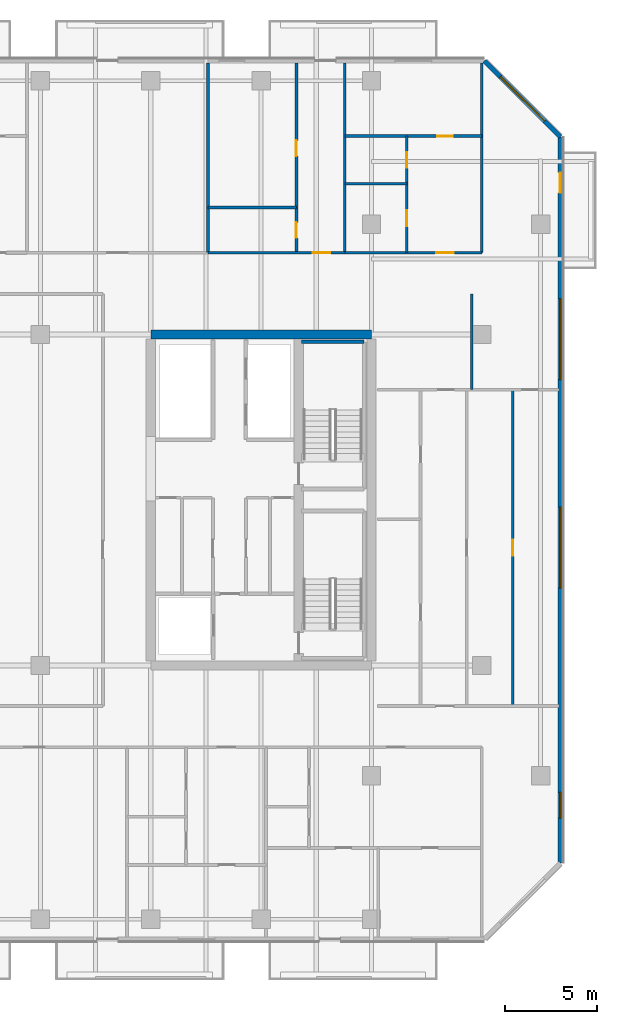
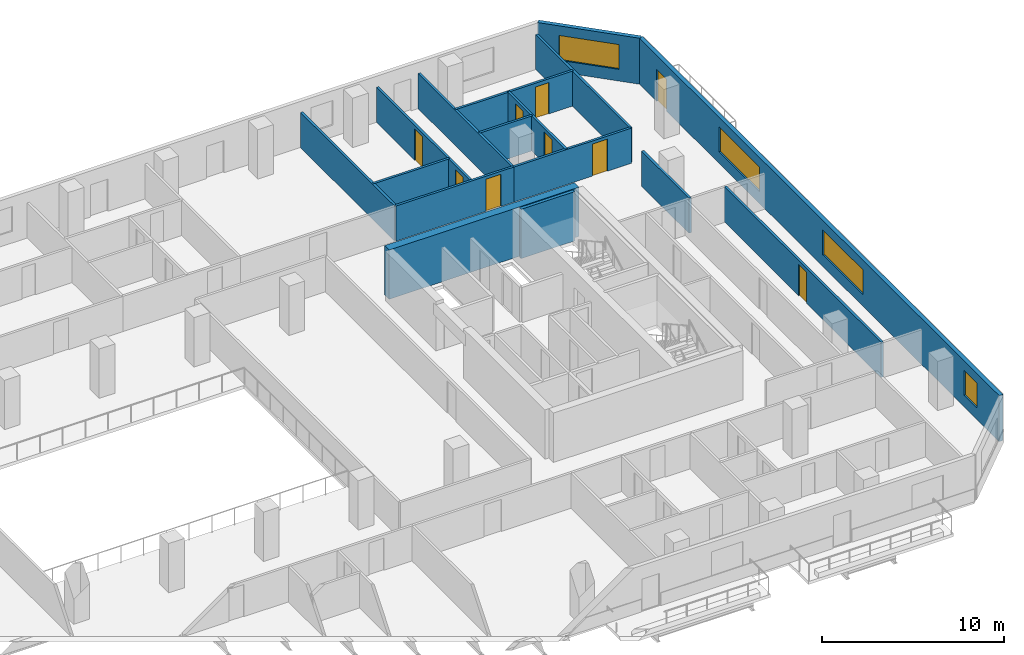
# One storey, part 16 of 23: 16 walls, 9 doors, 4 windows, 13 openings.
"""IFC4 building model written with IfcOpenShell, lengths in metres."""

from ifc_helpers import new_model, si_unit, direction, frame, frame_2d, origin, place, context, subcontext, project, spatial, rectangle, extrude, material, layer, layer_set, type_object, element, fill, save


model = new_model("IFC4")

# Units and contexts
model_context = context("Model", 3, precision=1e-05, world=origin(), true_north=direction((0.0, 1.0)))
body_context = subcontext(model_context, "Body", "Model", "MODEL_VIEW")
ifc_project = project(units=[si_unit("LENGTHUNIT", "METRE"), si_unit("AREAUNIT", "SQUARE_METRE"), si_unit("VOLUMEUNIT", "CUBIC_METRE"), si_unit("PLANEANGLEUNIT", "RADIAN"), si_unit("MASSUNIT", "GRAM", prefix="KILO")], contexts=[model_context])

# Site, building, storey
site_placement = place(None, origin())
site = spatial("IfcSite", under=ifc_project, at=site_placement, CompositionType="ELEMENT")
building_placement = place(site_placement, origin())
building = spatial("IfcBuilding", under=site, at=building_placement, Name="Tanjung Sevakor Pilgrim Tower", CompositionType="ELEMENT")
storey_placement = place(building_placement, frame((0.0, 0.0, 88.77001953125)))
storey = spatial("IfcBuildingStorey", under=building, at=storey_placement, Name="L24", CompositionType="ELEMENT", Elevation=88.77001953125)

# Walls
ifc_material_1 = material(Name="Concrete C60/75", Category="concrete")
ifc_layer_1 = layer(ifc_material_1, 0.5)
ifc_layer_set_1 = layer_set([ifc_layer_1], Name="WALL-CW-500")
wall_type_1 = type_object("IfcWallType", Name="WALL-CW-500", PredefinedType="SHEAR", material=ifc_layer_set_1)
wall_1_placement = place(storey_placement, frame((90.0, 42.60009765625, 0.0), z_axis=(0.0, 0.0, 1.0), x_axis=(-1.0, 0.0, 0.0)))
element("IfcWall", 1, at=wall_1_placement, inside=storey, type_object=wall_type_1, Name="L24 E Core North Shear Wall", PredefinedType="SHEAR", context=body_context, shape_type="SweptSolid", body=[
    extrude(rectangle(XDim=12.0, YDim=0.5, at=frame_2d((6.0, 0.0))), origin(), (0.0, 0.0, 1.0), 3.300048828125),
])
ifc_material_2 = material(Name="Concrete C40/50", Category="concrete")
ifc_layer_2 = layer(ifc_material_2, 0.14990234375)
ifc_layer_set_2 = layer_set([ifc_layer_2], Name="WT-COMP-150")
wall_type_2 = type_object("IfcWallType", Name="WT-COMP-150", PredefinedType="SOLIDWALL", material=ifc_layer_set_2)
for number, where, z_axis, x_axis, name in (
    (2, (96.0, 47.050048828125, 0.0), (0.0, 0.0, 1.0), (0.0, 1.0, 0.0), "L24 Partition IW-L24-094"),
    (3, (81.107421875, 47.050048828125, 0.0), (0.0, 0.0, 1.0), (0.0, 1.0, 0.0), "L24 Partition IW-L24-106"),
    (4, (88.5537109375, 47.050048828125, 0.0), (0.0, 0.0, 1.0), (0.0, 1.0, 0.0), "L24 Partition IW-L24-108"),
):
    element("IfcWall", number, at=place(storey_placement, frame(where, z_axis=z_axis, x_axis=x_axis)), inside=storey, type_object=wall_type_2, Name=name, PredefinedType="SOLIDWALL", context=body_context, shape_type="SweptSolid", body=[
        extrude(rectangle(XDim=10.300048828125, YDim=0.14990234375, at=frame_2d((5.14990234375, 0.0))), origin(), (0.0, 0.0, 1.0), 2.35009765625),
    ])

# Wall, opening, door
wall_2_placement = place(storey_placement, frame((81.107421875, 47.050048828125, 0.0), z_axis=(0.0, 0.0, 1.0), x_axis=(1.0, 0.0, 0.0)))
wall_2 = element("IfcWall", 5, at=wall_2_placement, inside=storey, type_object=wall_type_2, Name="L24 Partition IW-L24-111", PredefinedType="SOLIDWALL", context=body_context, shape_type="SweptSolid", body=[
    extrude(rectangle(XDim=7.4462890625, YDim=0.14990234375, at=frame_2d((3.72314453125, 0.0))), origin(), (0.0, 0.0, 1.0), 2.35009765625),
])
opening_1_placement = place(wall_2_placement, frame((5.6943359375, 0.0, 0.0)))
opening_1 = element("IfcOpeningElement", 6, at=opening_1_placement, cuts=wall_2, Name="Opening ID-FD2", PredefinedType="OPENING", context=body_context, shape_type="SweptSolid", body=[
    extrude(rectangle(XDim=0.949951171875, YDim=2.14990234375, at=frame_2d((0.47509765625, 1.074951171875))), frame((0.0, 0.0849609375, 0.0), z_axis=(0.0, -1.0, 0.0), x_axis=(1.0, 0.0, 0.0)), (0.0, 0.0, 1.0), 0.169921875),
])
ifc_material_3 = material(Name="Fire-Rated Timber", Category="wood")
door_type_1 = type_object("IfcDoorType", Name="DT-FIRE-950", OperationType="NOTDEFINED", PredefinedType="DOOR", material=ifc_material_3)
door_1_placement = place(opening_1_placement, origin())
door_1 = element("IfcDoor", 7, at=door_1_placement, inside=storey, type_object=door_type_1, Name="Hostel Quad Entrance", OperationType="SINGLE_SWING_RIGHT", OverallHeight=2.14990234375, OverallWidth=0.949951171875, PredefinedType="DOOR", context=body_context, shape_type="SweptSolid", body=[
    extrude(rectangle(XDim=0.949951171875, YDim=2.14990234375, at=frame_2d((0.47509765625, 1.074951171875))), frame((0.0, 0.02490234375, 0.0), z_axis=(0.0, -1.0, 0.0), x_axis=(1.0, 0.0, 0.0)), (0.0, 0.0, 1.0), 0.050048828125),
])
fill(opening_1, door_1)

wall_3_placement = place(storey_placement, frame((88.5537109375, 47.050048828125, 0.0), z_axis=(0.0, 0.0, 1.0), x_axis=(1.0, 0.0, 0.0)))
wall_3 = element("IfcWall", 8, at=wall_3_placement, inside=storey, type_object=wall_type_2, Name="L24 Partition IW-L24-115", PredefinedType="SOLIDWALL", context=body_context, shape_type="SweptSolid", body=[
    extrude(rectangle(XDim=7.4462890625, YDim=0.14990234375, at=frame_2d((3.72314453125, 0.0))), origin(), (0.0, 0.0, 1.0), 2.35009765625),
])
opening_2_placement = place(wall_3_placement, frame((4.97119140625, 0.0, 0.0)))
opening_2 = element("IfcOpeningElement", 9, at=opening_2_placement, cuts=wall_3, Name="Opening ID-FD2", PredefinedType="OPENING", context=body_context, shape_type="SweptSolid", body=[
    extrude(rectangle(XDim=0.949951171875, YDim=2.14990234375, at=frame_2d((0.47509765625, 1.074951171875))), frame((0.0, 0.0849609375, 0.0), z_axis=(0.0, -1.0, 0.0), x_axis=(1.0, 0.0, 0.0)), (0.0, 0.0, 1.0), 0.169921875),
])
door_2_placement = place(opening_2_placement, origin())
door_2 = element("IfcDoor", 10, at=door_2_placement, inside=storey, type_object=door_type_1, Name="Residence Entrance", OperationType="SINGLE_SWING_RIGHT", OverallHeight=2.14990234375, OverallWidth=0.949951171875, PredefinedType="DOOR", context=body_context, shape_type="SweptSolid", body=[
    extrude(rectangle(XDim=0.949951171875, YDim=2.14990234375, at=frame_2d((0.47509765625, 1.074951171875))), frame((0.0, 0.02490234375, 0.0), z_axis=(0.0, -1.0, 0.0), x_axis=(1.0, 0.0, 0.0)), (0.0, 0.0, 1.0), 0.050048828125),
])
fill(opening_2, door_2)

# Wall, openings, door, windows
ifc_material_4 = material(Name="Precast concrete C45/55", Category="concrete")
ifc_layer_3 = layer(ifc_material_4, 0.25)
ifc_layer_set_3 = layer_set([ifc_layer_3], Name="WT-EW-STN3")
wall_type_3 = type_object("IfcWallType", Name="WT-EW-STN3", PredefinedType="SOLIDWALL", material=ifc_layer_set_3)
wall_4_placement = place(storey_placement, frame((100.27490234375, 13.851806640625, 0.0), z_axis=(0.0, 0.0, 1.0), x_axis=(0.0, 1.0, 0.0)))
wall_4 = element("IfcWall", 11, at=wall_4_placement, inside=storey, type_object=wall_type_3, Name="L24 MAIN Exterior Wall 7", PredefinedType="SOLIDWALL", context=body_context, shape_type="SweptSolid", body=[
    extrude(rectangle(XDim=39.496337890625, YDim=0.25, at=frame_2d((19.748046875, 0.0))), origin(), (0.0, 0.0, 1.0), 3.080078125),
])
opening_3_placement = place(wall_4_placement, frame((36.4482421875, 0.0, 0.0)))
opening_3 = element("IfcOpeningElement", 12, at=opening_3_placement, cuts=wall_4, Name="Opening ED-BAL-1100", PredefinedType="OPENING", context=body_context, shape_type="SweptSolid", body=[
    extrude(rectangle(XDim=1.10009765625, YDim=2.14990234375, at=frame_2d((0.550048828125, 1.074951171875))), frame((0.0, 0.135009765625, 0.0), z_axis=(0.0, -1.0, 0.0), x_axis=(1.0, 0.0, 0.0)), (0.0, 0.0, 1.0), 0.27001953125),
])
opening_4_placement = place(wall_4_placement, frame((14.958251953125, 0.0, 0.780029296875)))
opening_4 = element("IfcOpeningElement", 13, at=opening_4_placement, cuts=wall_4, Name="Opening WN-ENDW-1660", PredefinedType="OPENING", context=body_context, shape_type="SweptSolid", body=[
    extrude(rectangle(XDim=4.39990234375, YDim=1.659912109375, at=frame_2d((2.199951171875, 0.830078125))), frame((0.0, 0.135009765625, 0.0), z_axis=(0.0, -1.0, 0.0), x_axis=(1.0, 0.0, 0.0)), (0.0, 0.0, 1.0), 0.27001953125),
])
opening_5_placement = place(wall_4_placement, frame((26.298095703125, 0.0, 0.780029296875)))
opening_5 = element("IfcOpeningElement", 14, at=opening_5_placement, cuts=wall_4, Name="Opening WN-ENDW-1660", PredefinedType="OPENING", context=body_context, shape_type="SweptSolid", body=[
    extrude(rectangle(XDim=4.39990234375, YDim=1.659912109375, at=frame_2d((2.199951171875, 0.830078125))), frame((0.0, 0.135009765625, 0.0), z_axis=(0.0, -1.0, 0.0), x_axis=(1.0, 0.0, 0.0)), (0.0, 0.0, 1.0), 0.27001953125),
])
opening_6_placement = place(wall_4_placement, frame((2.4541015625, 0.0, 0.780029296875)))
opening_6 = element("IfcOpeningElement", 15, at=opening_6_placement, cuts=wall_4, Name="Opening WN-END", PredefinedType="OPENING", context=body_context, shape_type="SweptSolid", body=[
    extrude(rectangle(XDim=1.39990234375, YDim=1.64990234375, at=frame_2d((0.699951171875, 0.824951171875))), frame((0.0, 0.135009765625, 0.0), z_axis=(0.0, -1.0, 0.0), x_axis=(1.0, 0.0, 0.0)), (0.0, 0.0, 1.0), 0.27001953125),
])
ifc_material_5 = material(Name="Anodised Aluminium and Laminated Glass", Category="aluminium")
door_type_2 = type_object("IfcDoorType", Name="DTYP-ED-BAL-1100", OperationType="NOTDEFINED", PredefinedType="DOOR", material=ifc_material_5)
door_3_placement = place(opening_3_placement, frame((1.10009765625, 0.0, 0.0), z_axis=(0.0, 0.0, 1.0), x_axis=(-1.0, 0.0, 0.0)))
door_3 = element("IfcDoor", 16, at=door_3_placement, inside=storey, type_object=door_type_2, Name="L24 East Loggia Door MAIN-E1", OperationType="SINGLE_SWING_RIGHT", OverallHeight=2.14990234375, OverallWidth=1.10009765625, PredefinedType="DOOR", context=body_context, shape_type="SweptSolid", body=[
    extrude(rectangle(XDim=1.10009765625, YDim=2.14990234375, at=frame_2d((0.550048828125, 1.074951171875))), frame((0.0, 0.02490234375, 0.0), z_axis=(0.0, -1.0, 0.0), x_axis=(1.0, 0.0, 0.0)), (0.0, 0.0, 1.0), 0.050048828125),
])
fill(opening_3, door_3)
ifc_material_6 = material(Name="Thermally Broken Aluminium and Low-E Glass", Category="aluminium")
window_type_1 = type_object("IfcWindowType", Name="WTYP-WN-END", PartitioningType="SINGLE_PANEL", PredefinedType="WINDOW", material=ifc_material_6)
window_1_placement = place(opening_6_placement, origin())
window_1 = element("IfcWindow", 17, at=window_1_placement, inside=storey, type_object=window_type_1, Name="L24 Facade Window 03", OverallHeight=1.64990234375, OverallWidth=1.39990234375, PartitioningType="SINGLE_PANEL", PredefinedType="WINDOW", context=body_context, shape_type="SweptSolid", body=[
    extrude(rectangle(XDim=1.39990234375, YDim=1.64990234375, at=frame_2d((0.699951171875, 0.824951171875))), frame((0.0, 0.030029296875, 0.0), z_axis=(0.0, -1.0, 0.0), x_axis=(1.0, 0.0, 0.0)), (0.0, 0.0, 1.0), 0.06005859375),
])
fill(opening_6, window_1)
ifc_material_7 = material(Name="Thermally Broken Aluminium and Low-E Glass", Category="aluminium")
window_type_2 = type_object("IfcWindowType", Name="WTYP-WN-ENDW-1660", PartitioningType="DOUBLE_PANEL_VERTICAL", PredefinedType="WINDOW", material=ifc_material_7)
window_2_placement = place(opening_4_placement, origin())
window_2 = element("IfcWindow", 18, at=window_2_placement, inside=storey, type_object=window_type_2, Name="L24 Facade Window 01", OverallHeight=1.659912109375, OverallWidth=4.39990234375, PartitioningType="SINGLE_PANEL", PredefinedType="WINDOW", context=body_context, shape_type="SweptSolid", body=[
    extrude(rectangle(XDim=4.39990234375, YDim=1.659912109375, at=frame_2d((2.199951171875, 0.830078125))), frame((0.0, 0.030029296875, 0.0), z_axis=(0.0, -1.0, 0.0), x_axis=(1.0, 0.0, 0.0)), (0.0, 0.0, 1.0), 0.06005859375),
])
fill(opening_4, window_2)
window_3_placement = place(opening_5_placement, origin())
window_3 = element("IfcWindow", 19, at=window_3_placement, inside=storey, type_object=window_type_2, Name="L24 Facade Window 02", OverallHeight=1.659912109375, OverallWidth=4.39990234375, PartitioningType="SINGLE_PANEL", PredefinedType="WINDOW", context=body_context, shape_type="SweptSolid", body=[
    extrude(rectangle(XDim=4.39990234375, YDim=1.659912109375, at=frame_2d((2.199951171875, 0.830078125))), frame((0.0, 0.030029296875, 0.0), z_axis=(0.0, -1.0, 0.0), x_axis=(1.0, 0.0, 0.0)), (0.0, 0.0, 1.0), 0.06005859375),
])
fill(opening_5, window_3)

# Wall, opening, window
wall_5_placement = place(storey_placement, frame((100.27490234375, 53.34814453125, 0.0), z_axis=(0.0, 0.0, 1.0), x_axis=(-0.70708586489, 0.707127696864, 0.0)))
wall_5 = element("IfcWall", 20, at=wall_5_placement, inside=storey, type_object=wall_type_3, Name="L24 MAIN Sculpted Corner Wall 7", PredefinedType="SOLIDWALL", context=body_context, shape_type="SweptSolid", body=[
    extrude(rectangle(XDim=5.836181640625, YDim=0.25, at=frame_2d((2.91796875, 0.0))), origin(), (0.0, 0.0, 1.0), 3.080078125),
])
opening_7_placement = place(wall_5_placement, frame((1.218017578125, 0.0, 0.780029296875)))
opening_7 = element("IfcOpeningElement", 21, at=opening_7_placement, cuts=wall_5, Name="Opening WN-CHM-1660", PredefinedType="OPENING", context=body_context, shape_type="SweptSolid", body=[
    extrude(rectangle(XDim=3.39990234375, YDim=1.659912109375, at=frame_2d((1.699951171875, 0.830078125))), frame((0.0, 0.135009765625, 0.0), z_axis=(0.0, -1.0, 0.0), x_axis=(1.0, 0.0, 0.0)), (0.0, 0.0, 1.0), 0.27001953125),
])
ifc_material_8 = material(Name="Thermally Broken Aluminium and Low-E Glass", Category="aluminium")
window_type_3 = type_object("IfcWindowType", Name="WTYP-WN-CHM-1660", PartitioningType="DOUBLE_PANEL_VERTICAL", PredefinedType="WINDOW", material=ifc_material_8)
window_4_placement = place(opening_7_placement, origin())
window_4 = element("IfcWindow", 22, at=window_4_placement, inside=storey, type_object=window_type_3, Name="L24 Facade Window 01", OverallHeight=1.659912109375, OverallWidth=3.39990234375, PartitioningType="SINGLE_PANEL", PredefinedType="WINDOW", context=body_context, shape_type="SweptSolid", body=[
    extrude(rectangle(XDim=3.39990234375, YDim=1.659912109375, at=frame_2d((1.699951171875, 0.830078125))), frame((0.0, 0.030029296875, 0.0), z_axis=(0.0, -1.0, 0.0), x_axis=(1.0, 0.0, 0.0)), (0.0, 0.0, 1.0), 0.06005859375),
])
fill(opening_7, window_4)

# Wall
ifc_material_9 = material(Name="Concrete C40/50", Category="concrete")
ifc_layer_4 = layer(ifc_material_9, 0.199951171875)
ifc_layer_set_4 = layer_set([ifc_layer_4], Name="WT-FIRE-200")
wall_type_4 = type_object("IfcWallType", Name="WT-FIRE-200", PredefinedType="SOLIDWALL", material=ifc_layer_set_4)
wall_6_placement = place(storey_placement, frame((89.60009765625, 42.199951171875, 0.0), z_axis=(0.0, 0.0, 1.0), x_axis=(-1.0, 0.0, 0.0)))
element("IfcWall", 23, at=wall_6_placement, inside=storey, type_object=wall_type_4, Name="L24 TS-E2 Shaft Wall 3", PredefinedType="SOLIDWALL", context=body_context, shape_type="SweptSolid", body=[
    extrude(rectangle(XDim=3.400146484375, YDim=0.199951171875, at=frame_2d((1.7001953125, 0.0))), origin(), (0.0, 0.0, 1.0), 3.300048828125),
])

# Wall, opening, door
ifc_material_10 = material(Name="Gypsum Board Partition", Category="gypsum board")
ifc_layer_5 = layer(ifc_material_10, 0.14990234375)
ifc_layer_set_5 = layer_set([ifc_layer_5], Name="WT-PART-150")
wall_type_5 = type_object("IfcWallType", Name="WT-PART-150", PredefinedType="PARTITIONING", material=ifc_layer_set_5)
wall_7_placement = place(storey_placement, frame((97.683349609375, 22.39990234375, 0.0), z_axis=(0.0, 0.0, 1.0), x_axis=(0.0, 1.0, 0.0)))
wall_7 = element("IfcWall", 24, at=wall_7_placement, inside=storey, type_object=wall_type_5, Name="L24 Partition IW-L24-039", PredefinedType="PARTITIONING", context=body_context, shape_type="SweptSolid", body=[
    extrude(rectangle(XDim=17.2001953125, YDim=0.14990234375, at=frame_2d((8.60009765625, 0.0))), origin(), (0.0, 0.0, 1.0), 2.35009765625),
])
opening_8_placement = place(wall_7_placement, frame((8.175048828125, 0.0, 0.0)))
opening_8 = element("IfcOpeningElement", 25, at=opening_8_placement, cuts=wall_7, Name="Opening ID-WC1", PredefinedType="OPENING", context=body_context, shape_type="SweptSolid", body=[
    extrude(rectangle(XDim=0.85009765625, YDim=2.10009765625, at=frame_2d((0.425048828125, 1.050048828125))), frame((0.0, 0.0849609375, 0.0), z_axis=(0.0, -1.0, 0.0), x_axis=(1.0, 0.0, 0.0)), (0.0, 0.0, 1.0), 0.169921875),
])
ifc_material_11 = material(Name="Moisture-Resistant Timber", Category="wood")
door_type_3 = type_object("IfcDoorType", Name="DT-INT-850", OperationType="NOTDEFINED", PredefinedType="DOOR", material=ifc_material_11)
door_4_placement = place(opening_8_placement, origin())
door_4 = element("IfcDoor", 26, at=door_4_placement, inside=storey, type_object=door_type_3, Name="Suite Reading Room Door", OperationType="SINGLE_SWING_LEFT", OverallHeight=2.10009765625, OverallWidth=0.85009765625, PredefinedType="DOOR", context=body_context, shape_type="SweptSolid", body=[
    extrude(rectangle(XDim=0.85009765625, YDim=2.10009765625, at=frame_2d((0.425048828125, 1.050048828125))), frame((0.0, 0.02490234375, 0.0), z_axis=(0.0, -1.0, 0.0), x_axis=(1.0, 0.0, 0.0)), (0.0, 0.0, 1.0), 0.050048828125),
])
fill(opening_8, door_4)

# Walls
wall_8_placement = place(storey_placement, frame((95.452392578125, 39.60009765625, 0.0), z_axis=(0.0, 0.0, 1.0), x_axis=(0.0, 1.0, 0.0)))
element("IfcWall", 27, at=wall_8_placement, inside=storey, type_object=wall_type_5, Name="L24 Partition IW-L24-042", PredefinedType="PARTITIONING", context=body_context, shape_type="SweptSolid", body=[
    extrude(rectangle(XDim=5.199951171875, YDim=0.14990234375, at=frame_2d((2.60009765625, 0.0))), origin(), (0.0, 0.0, 1.0), 2.35009765625),
])
wall_9_placement = place(storey_placement, frame((81.107421875, 49.5, 0.0), z_axis=(0.0, 0.0, 1.0), x_axis=(1.0, 0.0, 0.0)))
element("IfcWall", 28, at=wall_9_placement, inside=storey, type_object=wall_type_5, Name="L24 Partition IW-L24-109", PredefinedType="PARTITIONING", context=body_context, shape_type="SweptSolid", body=[
    extrude(rectangle(XDim=4.8125, YDim=0.14990234375, at=frame_2d((2.40625, 0.0))), origin(), (0.0, 0.0, 1.0), 2.35009765625),
])

# Wall, openings, doors
wall_10_placement = place(storey_placement, frame((85.919921875, 47.050048828125, 0.0), z_axis=(0.0, 0.0, 1.0), x_axis=(0.0, 1.0, 0.0)))
wall_10 = element("IfcWall", 29, at=wall_10_placement, inside=storey, type_object=wall_type_5, Name="L24 Partition IW-L24-110", PredefinedType="PARTITIONING", context=body_context, shape_type="SweptSolid", body=[
    extrude(rectangle(XDim=10.300048828125, YDim=0.14990234375, at=frame_2d((5.14990234375, 0.0))), origin(), (0.0, 0.0, 1.0), 2.35009765625),
])
opening_9_placement = place(wall_10_placement, frame((0.800048828125, 0.0, 0.0)))
opening_9 = element("IfcOpeningElement", 30, at=opening_9_placement, cuts=wall_10, Name="Opening ID-WC1", PredefinedType="OPENING", context=body_context, shape_type="SweptSolid", body=[
    extrude(rectangle(XDim=0.85009765625, YDim=2.10009765625, at=frame_2d((0.425048828125, 1.050048828125))), frame((0.0, 0.0849609375, 0.0), z_axis=(0.0, -1.0, 0.0), x_axis=(1.0, 0.0, 0.0)), (0.0, 0.0, 1.0), 0.169921875),
])
opening_10_placement = place(wall_10_placement, frame((5.25, 0.0, 0.0)))
opening_10 = element("IfcOpeningElement", 31, at=opening_10_placement, cuts=wall_10, Name="Opening ID-WC1", PredefinedType="OPENING", context=body_context, shape_type="SweptSolid", body=[
    extrude(rectangle(XDim=0.85009765625, YDim=2.10009765625, at=frame_2d((0.425048828125, 1.050048828125))), frame((0.0, 0.0849609375, 0.0), z_axis=(0.0, -1.0, 0.0), x_axis=(1.0, 0.0, 0.0)), (0.0, 0.0, 1.0), 0.169921875),
])
door_5_placement = place(opening_9_placement, origin())
door_5 = element("IfcDoor", 32, at=door_5_placement, inside=storey, type_object=door_type_3, Name="Bathroom Door", OperationType="SINGLE_SWING_RIGHT", OverallHeight=2.10009765625, OverallWidth=0.85009765625, PredefinedType="DOOR", context=body_context, shape_type="SweptSolid", body=[
    extrude(rectangle(XDim=0.85009765625, YDim=2.10009765625, at=frame_2d((0.425048828125, 1.050048828125))), frame((0.0, 0.02490234375, 0.0), z_axis=(0.0, -1.0, 0.0), x_axis=(1.0, 0.0, 0.0)), (0.0, 0.0, 1.0), 0.050048828125),
])
fill(opening_9, door_5)
door_6_placement = place(opening_10_placement, origin())
door_6 = element("IfcDoor", 33, at=door_6_placement, inside=storey, type_object=door_type_3, Name="Study Nook Door", OperationType="SINGLE_SWING_LEFT", OverallHeight=2.10009765625, OverallWidth=0.85009765625, PredefinedType="DOOR", context=body_context, shape_type="SweptSolid", body=[
    extrude(rectangle(XDim=0.85009765625, YDim=2.10009765625, at=frame_2d((0.425048828125, 1.050048828125))), frame((0.0, 0.02490234375, 0.0), z_axis=(0.0, -1.0, 0.0), x_axis=(1.0, 0.0, 0.0)), (0.0, 0.0, 1.0), 0.050048828125),
])
fill(opening_10, door_6)

# Wall
wall_11_placement = place(storey_placement, frame((88.5537109375, 50.78955078125, 0.0), z_axis=(0.0, 0.0, 1.0), x_axis=(1.0, 0.0, 0.0)))
element("IfcWall", 34, at=wall_11_placement, inside=storey, type_object=wall_type_5, Name="L24 Partition IW-L24-112", PredefinedType="PARTITIONING", context=body_context, shape_type="SweptSolid", body=[
    extrude(rectangle(XDim=3.3662109375, YDim=0.14990234375, at=frame_2d((1.68310546875, 0.0))), origin(), (0.0, 0.0, 1.0), 2.35009765625),
])

# Wall, openings, doors
wall_12_placement = place(storey_placement, frame((91.919921875, 47.050048828125, 0.0), z_axis=(0.0, 0.0, 1.0), x_axis=(0.0, 1.0, 0.0)))
wall_12 = element("IfcWall", 35, at=wall_12_placement, inside=storey, type_object=wall_type_5, Name="L24 Partition IW-L24-113", PredefinedType="PARTITIONING", context=body_context, shape_type="SweptSolid", body=[
    extrude(rectangle(XDim=6.338134765625, YDim=0.14990234375, at=frame_2d((3.1689453125, 0.0))), origin(), (0.0, 0.0, 1.0), 2.35009765625),
])
opening_11_placement = place(wall_12_placement, frame((1.44482421875, 0.0, 0.0)))
opening_11 = element("IfcOpeningElement", 36, at=opening_11_placement, cuts=wall_12, Name="Opening ID-WC1", PredefinedType="OPENING", context=body_context, shape_type="SweptSolid", body=[
    extrude(rectangle(XDim=0.85009765625, YDim=2.10009765625, at=frame_2d((0.425048828125, 1.050048828125))), frame((0.0, 0.0849609375, 0.0), z_axis=(0.0, -1.0, 0.0), x_axis=(1.0, 0.0, 0.0)), (0.0, 0.0, 1.0), 0.169921875),
])
opening_12_placement = place(wall_12_placement, frame((4.614013671875, 0.0, 0.0)))
opening_12 = element("IfcOpeningElement", 37, at=opening_12_placement, cuts=wall_12, Name="Opening ID-WC1", PredefinedType="OPENING", context=body_context, shape_type="SweptSolid", body=[
    extrude(rectangle(XDim=0.85009765625, YDim=2.10009765625, at=frame_2d((0.425048828125, 1.050048828125))), frame((0.0, 0.0849609375, 0.0), z_axis=(0.0, -1.0, 0.0), x_axis=(1.0, 0.0, 0.0)), (0.0, 0.0, 1.0), 0.169921875),
])
door_7_placement = place(opening_11_placement, origin())
door_7 = element("IfcDoor", 38, at=door_7_placement, inside=storey, type_object=door_type_3, Name="Residence Kitchenette Door", OperationType="SINGLE_SWING_LEFT", OverallHeight=2.10009765625, OverallWidth=0.85009765625, PredefinedType="DOOR", context=body_context, shape_type="SweptSolid", body=[
    extrude(rectangle(XDim=0.85009765625, YDim=2.10009765625, at=frame_2d((0.425048828125, 1.050048828125))), frame((0.0, 0.02490234375, 0.0), z_axis=(0.0, -1.0, 0.0), x_axis=(1.0, 0.0, 0.0)), (0.0, 0.0, 1.0), 0.050048828125),
])
fill(opening_11, door_7)
door_8_placement = place(opening_12_placement, origin())
door_8 = element("IfcDoor", 39, at=door_8_placement, inside=storey, type_object=door_type_3, Name="Residence Bathroom Door", OperationType="SINGLE_SWING_RIGHT", OverallHeight=2.10009765625, OverallWidth=0.85009765625, PredefinedType="DOOR", context=body_context, shape_type="SweptSolid", body=[
    extrude(rectangle(XDim=0.85009765625, YDim=2.10009765625, at=frame_2d((0.425048828125, 1.050048828125))), frame((0.0, 0.02490234375, 0.0), z_axis=(0.0, -1.0, 0.0), x_axis=(1.0, 0.0, 0.0)), (0.0, 0.0, 1.0), 0.050048828125),
])
fill(opening_12, door_8)

# Wall, opening, door
wall_13_placement = place(storey_placement, frame((88.5537109375, 53.38818359375, 0.0), z_axis=(0.0, 0.0, 1.0), x_axis=(1.0, 0.0, 0.0)))
wall_13 = element("IfcWall", 40, at=wall_13_placement, inside=storey, type_object=wall_type_5, Name="L24 Partition IW-L24-114", PredefinedType="PARTITIONING", context=body_context, shape_type="SweptSolid", body=[
    extrude(rectangle(XDim=7.4462890625, YDim=0.14990234375, at=frame_2d((3.72314453125, 0.0))), origin(), (0.0, 0.0, 1.0), 2.35009765625),
])
opening_13_placement = place(wall_13_placement, frame((5.021240234375, 0.0, 0.0)))
opening_13 = element("IfcOpeningElement", 41, at=opening_13_placement, cuts=wall_13, Name="Opening ID-WC1", PredefinedType="OPENING", context=body_context, shape_type="SweptSolid", body=[
    extrude(rectangle(XDim=0.85009765625, YDim=2.10009765625, at=frame_2d((0.425048828125, 1.050048828125))), frame((0.0, 0.0849609375, 0.0), z_axis=(0.0, -1.0, 0.0), x_axis=(1.0, 0.0, 0.0)), (0.0, 0.0, 1.0), 0.169921875),
])
door_9_placement = place(opening_13_placement, origin())
door_9 = element("IfcDoor", 42, at=door_9_placement, inside=storey, type_object=door_type_3, Name="Residence Bedroom Door", OperationType="SINGLE_SWING_LEFT", OverallHeight=2.10009765625, OverallWidth=0.85009765625, PredefinedType="DOOR", context=body_context, shape_type="SweptSolid", body=[
    extrude(rectangle(XDim=0.85009765625, YDim=2.10009765625, at=frame_2d((0.425048828125, 1.050048828125))), frame((0.0, 0.02490234375, 0.0), z_axis=(0.0, -1.0, 0.0), x_axis=(1.0, 0.0, 0.0)), (0.0, 0.0, 1.0), 0.050048828125),
])
fill(opening_13, door_9)

save(model, "model.ifc")
